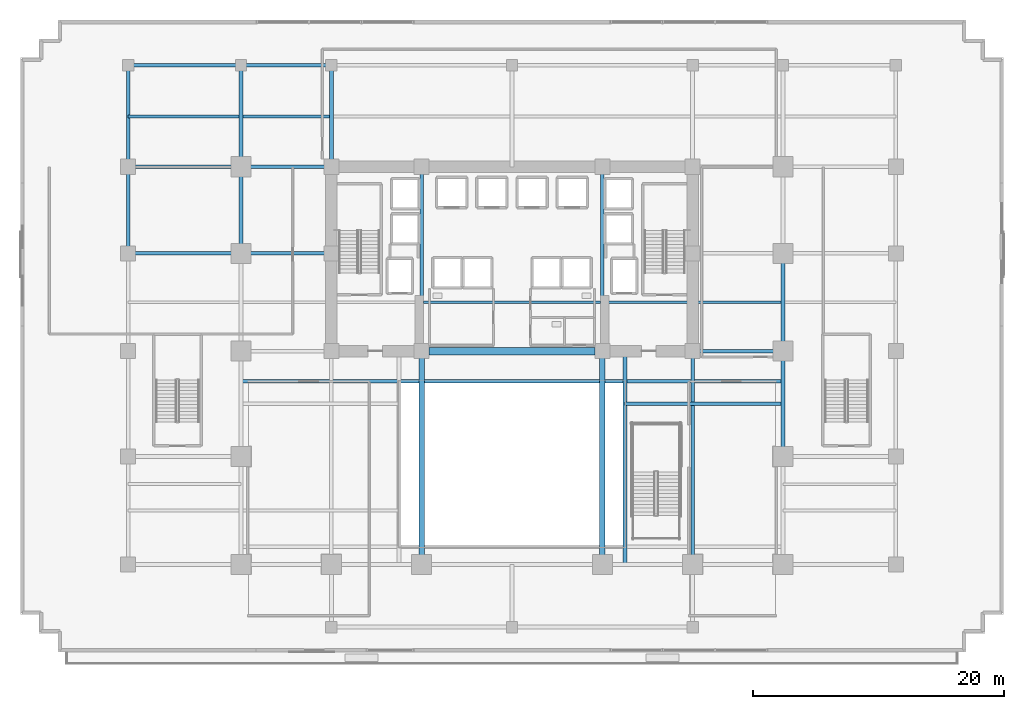
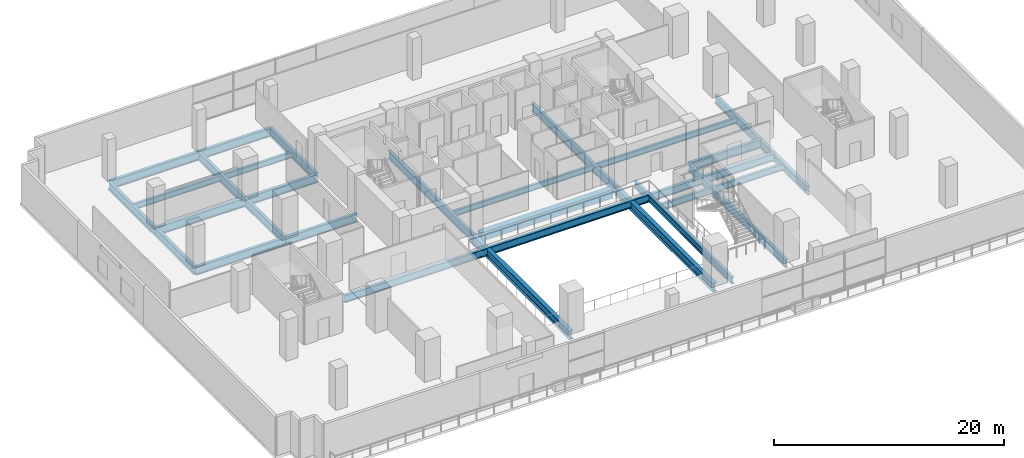
# One storey, part 7 of 21: 27 beams.
"""IFC4 building model written with IfcOpenShell, lengths in metres."""

import ifcopenshell
import ifcopenshell.guid

model = None  # the IFC model being written
_history = None  # IfcOwnerHistory: only IFC2X3 demands one
_inside = {}  # id of a spatial element -> (the spatial element, [elements in it])
_under = {}  # id of a project, library or spatial element -> (it, [spatial elements below it])
_declared = {}  # id of a project -> (the project, [libraries it declares])
_typed = {}  # id of a type object -> (the type object, [elements of that type])
_made_of = {}  # id of a material, layer set ... -> (it, [elements and type objects made of it])


def new_model(schema):
    """Start an empty IFC model of exactly this schema.

    Asked for "IFC4X3", IfcOpenShell would pick the latest addendum, in which some entities
    have other attributes; the version numbers below select the first issue.
    IFC2X3 requires an IfcOwnerHistory on every rooted entity: one is made here for all.
    """
    global model, _history
    if schema == "IFC4X3":
        model = ifcopenshell.file(schema_version=(4, 3, 0, 0))
    else:
        model = ifcopenshell.file(schema=schema)
    _inside.clear()
    _under.clear()
    _declared.clear()
    _typed.clear()
    _made_of.clear()
    _history = None
    if model.schema == "IFC2X3":
        org = make("IfcOrganization", Name="unknown")
        user = make(
            "IfcPersonAndOrganization",
            ThePerson=make("IfcPerson", FamilyName="unknown"),
            TheOrganization=org,
        )
        app = make(
            "IfcApplication",
            ApplicationDeveloper=org,
            Version="unknown",
            ApplicationFullName="unknown",
            ApplicationIdentifier="unknown",
        )
        _history = make(
            "IfcOwnerHistory",
            OwningUser=user,
            OwningApplication=app,
            ChangeAction="ADDED",
            CreationDate=0,
        )
    return model


def make(cls, **values):
    """One entity of the class cls with the attributes given. An attribute that is None is left unset."""
    return model.create_entity(
        cls, **{name: value for name, value in values.items() if value is not None}
    )


def rooted(cls, **values):
    """An entity with a GlobalId (a new one), such as an element, a storey or a relation."""
    return make(cls, GlobalId=ifcopenshell.guid.new(), OwnerHistory=_history, **values)


def si_unit(unit_type, name, prefix=None):
    """IfcSIUnit, for example si_unit("LENGTHUNIT", "METRE", prefix="MILLI")."""
    return make("IfcSIUnit", UnitType=unit_type, Prefix=prefix, Name=name)


def assignment(units):
    """IfcUnitAssignment: the units of a project."""
    return None if units is None else make("IfcUnitAssignment", Units=units)


def point(xyz):
    """IfcCartesianPoint."""
    return None if xyz is None else make("IfcCartesianPoint", Coordinates=xyz)


def direction(xyz):
    """IfcDirection."""
    return None if xyz is None else make("IfcDirection", DirectionRatios=xyz)


def frame(location, z_axis=None, x_axis=None):
    """IfcAxis2Placement3D, a coordinate frame: its origin and axes. An axis left out is left unset."""
    return make(
        "IfcAxis2Placement3D",
        Location=point(location),
        Axis=direction(z_axis),
        RefDirection=direction(x_axis),
    )


def frame_2d(location, x_axis=None):
    """IfcAxis2Placement2D, a coordinate frame in the plane: its origin and x axis."""
    return make(
        "IfcAxis2Placement2D", Location=point(location), RefDirection=direction(x_axis)
    )


def origin():
    """The frame at (0, 0, 0) with its axes left unset."""
    return frame((0.0, 0.0, 0.0))


def origin_2d():
    """The frame at (0, 0) in the plane with its x axis left unset."""
    return frame_2d((0.0, 0.0))


def place(relative_to, where):
    """IfcLocalPlacement: puts the frame where relative to a parent placement (None: the world)."""
    return make(
        "IfcLocalPlacement", PlacementRelTo=relative_to, RelativePlacement=where
    )


def context(
    kind, dimensions, precision=None, world=None, true_north=None, identifier=None
):
    """IfcGeometricRepresentationContext, for example the 3D "Model" context."""
    return make(
        "IfcGeometricRepresentationContext",
        ContextIdentifier=identifier,
        ContextType=kind,
        CoordinateSpaceDimension=dimensions,
        Precision=precision,
        WorldCoordinateSystem=world,
        TrueNorth=true_north,
    )


def subcontext(parent, identifier, kind, view, scale=None):
    """IfcGeometricRepresentationSubContext, for example "Body" below "Model"."""
    return make(
        "IfcGeometricRepresentationSubContext",
        ContextIdentifier=identifier,
        ContextType=kind,
        ParentContext=parent,
        TargetScale=scale,
        TargetView=view,
    )


def project(units=None, contexts=None):
    """IfcProject with its units and contexts."""
    return rooted(
        "IfcProject",
        Name="project",
        RepresentationContexts=contexts,
        UnitsInContext=assignment(units),
    )


def spatial(cls, under=None, at=None, **own):
    """A site, building, storey or space (cls), placed at a placement, below another one or the project."""
    s = rooted(cls, ObjectPlacement=at, **own)
    if under is not None:
        _under.setdefault(under.id(), (under, []))[1].append(s)
    return s


def profile(cls, at=None, kind="AREA", **sizes):
    """A parametric profile (cls). Its sizes go by their IFC names, for example OverallWidth=200.0."""
    return make(cls, ProfileType=kind, Position=at, **sizes)


def rectangle(**sizes):
    """IfcRectangleProfileDef."""
    return profile("IfcRectangleProfileDef", **sizes)


def i_section(**sizes):
    """IfcIShapeProfileDef."""
    return profile("IfcIShapeProfileDef", **sizes)


def extrude(swept, where, along, depth):
    """IfcExtrudedAreaSolid: the profile swept, set in the frame where, extruded along a direction by depth."""
    return make(
        "IfcExtrudedAreaSolid",
        SweptArea=swept,
        Position=where,
        ExtrudedDirection=direction(along),
        Depth=depth,
    )


def shape(context_of_items, identifier, shape_type, items):
    """IfcShapeRepresentation: the items that make up one representation, for example the "Body"."""
    return make(
        "IfcShapeRepresentation",
        ContextOfItems=context_of_items,
        RepresentationIdentifier=identifier,
        RepresentationType=shape_type,
        Items=items,
    )


def material(Name=None, Category=None):
    """IfcMaterial."""
    return make("IfcMaterial", Name=Name, Category=Category)


def material_profile(
    of_material, cross_section, Name=None, Category=None, Priority=None
):
    """IfcMaterialProfile: a cross section and its material."""
    return make(
        "IfcMaterialProfile",
        Name=Name,
        Material=of_material,
        Profile=cross_section,
        Priority=Priority,
        Category=Category,
    )


def profile_set(profiles, Name=None, composite=None):
    """IfcMaterialProfileSet."""
    return make(
        "IfcMaterialProfileSet",
        Name=Name,
        MaterialProfiles=profiles,
        CompositeProfile=composite,
    )


def made_of(thing, what):
    """Note that an element or type object is made of a material, layer set ...; save() writes the relation."""
    if what is not None:
        _made_of.setdefault(what.id(), (what, []))[1].append(thing)
    return thing


def type_object(cls, material=None, **own):
    """A type object (cls), such as IfcWallType, which elements share."""
    return made_of(rooted(cls, **own), material)


def element(
    cls,
    number,
    at=None,
    inside=None,
    cuts=None,
    type_object=None,
    material=None,
    context=None,
    identifier="Body",
    shape_type=None,
    held_by="IfcProductDefinitionShape",
    body=None,
    shapes=None,
    **own,
):
    """One element of the class cls, such as IfcWall. Its Tag is "e" and its number.

    at: its placement. inside: the storey or other place that contains it. cuts: it is an
    opening in that element (IfcRelVoidsElement). A single representation is given by context,
    identifier, shape_type and body (its items); several are given by shapes. held_by: the class
    of the entity that holds the representations. save() writes the other relations.
    """
    e = rooted(cls, Tag="e%d" % number, ObjectPlacement=at, **own)
    if body is not None:
        shapes = [shape(context, identifier, shape_type, body)]
    if shapes is not None:
        e.Representation = make(held_by, Representations=shapes)
    if inside is not None:
        _inside.setdefault(inside.id(), (inside, []))[1].append(e)
    if cuts is not None:
        rooted(
            "IfcRelVoidsElement", RelatingBuildingElement=cuts, RelatedOpeningElement=e
        )
    if type_object is not None:
        _typed.setdefault(type_object.id(), (type_object, []))[1].append(e)
    return made_of(e, material)


def aggregate(whole, parts):
    """IfcRelAggregates: a whole, such as a stair, and the parts it consists of."""
    return rooted("IfcRelAggregates", RelatingObject=whole, RelatedObjects=parts)


def save(model, path):
    """Write the relations noted so far, then the file.

    IfcRelAggregates (storeys below a building ...), IfcRelContainedInSpatialStructure (elements
    in a storey), IfcRelDefinesByType, IfcRelAssociatesMaterial and IfcRelDeclares: one each for
    every whole, place, type object, material and project.
    """
    for whole, parts in _under.values():
        aggregate(whole, parts)
    for where, things in _inside.values():
        rooted(
            "IfcRelContainedInSpatialStructure",
            RelatedElements=things,
            RelatingStructure=where,
        )
    for kind, things in _typed.values():
        rooted("IfcRelDefinesByType", RelatedObjects=things, RelatingType=kind)
    for what, things in _made_of.values():
        rooted("IfcRelAssociatesMaterial", RelatedObjects=things, RelatingMaterial=what)
    for by, libraries in _declared.values():
        rooted("IfcRelDeclares", RelatingContext=by, RelatedDefinitions=libraries)
    model.write(path)


model = new_model("IFC4")

# Units and contexts
model_context = context("Model", 3, precision=1e-05, world=origin(), true_north=direction((0.0, 1.0)))
body_context = subcontext(model_context, "Body", "Model", "MODEL_VIEW")
ifc_project = project(units=[si_unit("LENGTHUNIT", "METRE"), si_unit("AREAUNIT", "SQUARE_METRE"), si_unit("VOLUMEUNIT", "CUBIC_METRE"), si_unit("PLANEANGLEUNIT", "RADIAN"), si_unit("MASSUNIT", "GRAM", prefix="KILO")], contexts=[model_context])

# Site, building, storey
site_placement = place(None, origin())
site = spatial("IfcSite", under=ifc_project, at=site_placement, CompositionType="ELEMENT")
building_placement = place(site_placement, origin())
building = spatial("IfcBuilding", under=site, at=building_placement, Name="Zarnakvel Exchange Tower", CompositionType="ELEMENT")
storey_placement = place(building_placement, frame((0.0, 0.0, 5.0)))
storey = spatial("IfcBuildingStorey", under=building, at=storey_placement, Name="L01", CompositionType="ELEMENT", Elevation=5.0)

# Beams
ifc_material_1 = material(Name="Steel S355", Category="steel")
ifc_material_profile_1 = material_profile(ifc_material_1, i_section(OverallWidth=0.255859375, OverallDepth=0.69287109375, WebThickness=0.014404296875, FlangeThickness=0.023681640625, FilletRadius=0.01513671875, at=origin_2d()))
ifc_profile_set_1 = profile_set([ifc_material_profile_1], Name="Steel S355")
beam_type_1 = type_object("IfcBeamType", Name="B-01", PredefinedType="JOIST", material=ifc_profile_set_1)
beam_1_placement = place(storey_placement, frame((9.0, -5.39990234375, -0.646484375), z_axis=(1.0, 0.0, 0.0), x_axis=(0.0, 1.0, 0.0)))
element("IfcBeam", 1, at=beam_1_placement, inside=storey, type_object=beam_type_1, Name="L01 Exchange Hall Atrium Trimmer East", PredefinedType="JOIST", context=body_context, shape_type="SweptSolid", body=[
    extrude(i_section(OverallWidth=0.255859375, OverallDepth=0.69287109375, WebThickness=0.014404296875, FlangeThickness=0.023681640625, FilletRadius=0.01513671875, at=origin_2d()), origin(), (0.0, 0.0, 1.0), 12.60009765625),
])
ifc_material_profile_2 = material_profile(ifc_material_1, i_section(OverallWidth=0.230224609375, OverallDepth=0.6171875, WebThickness=0.01318359375, FlangeThickness=0.022216796875, FilletRadius=0.0126953125, at=origin_2d()))
ifc_profile_set_2 = profile_set([ifc_material_profile_2], Name="Steel S355")
beam_type_2 = type_object("IfcBeamType", Name="B-02", PredefinedType="JOIST", material=ifc_profile_set_2)
beam_2_placement = place(storey_placement, frame((-7.050048828125, 2.699951171875, -0.608642578125), z_axis=(1.0, 0.0, 0.0), x_axis=(0.0, 1.0, 0.0)))
element("IfcBeam", 2, at=beam_2_placement, inside=storey, type_object=beam_type_2, Name="L01 Secondary Floor Joist", PredefinedType="JOIST", context=body_context, shape_type="SweptSolid", body=[
    extrude(i_section(OverallWidth=0.230224609375, OverallDepth=0.6171875, WebThickness=0.01318359375, FlangeThickness=0.022216796875, FilletRadius=0.0126953125, at=origin_2d()), origin(), (0.0, 0.0, 1.0), 14.10009765625),
])
beam_3_placement = place(storey_placement, frame((7.35009765625, 2.699951171875, -0.608642578125), z_axis=(1.0, 0.0, 0.0), x_axis=(0.0, 1.0, 0.0)))
element("IfcBeam", 3, at=beam_3_placement, inside=storey, type_object=beam_type_2, Name="L01 Secondary Floor Joist", PredefinedType="JOIST", context=body_context, shape_type="SweptSolid", body=[
    extrude(i_section(OverallWidth=0.230224609375, OverallDepth=0.6171875, WebThickness=0.01318359375, FlangeThickness=0.022216796875, FilletRadius=0.0126953125, at=origin_2d()), origin(), (0.0, 0.0, 1.0), 14.099853515625),
])
beam_4_placement = place(storey_placement, frame((-30.60009765625, 17.5, -0.608642578125), z_axis=(1.0, 0.0, 0.0), x_axis=(0.0, 1.0, 0.0)))
element("IfcBeam", 4, at=beam_4_placement, inside=storey, type_object=beam_type_2, Name="L01 North Bay Secondary Floor Joist", PredefinedType="JOIST", context=body_context, shape_type="SweptSolid", body=[
    extrude(i_section(OverallWidth=0.230224609375, OverallDepth=0.6171875, WebThickness=0.01318359375, FlangeThickness=0.022216796875, FilletRadius=0.0126953125, at=origin_2d()), origin(), (0.0, 0.0, 1.0), 8.85009765625),
])
beam_5_placement = place(storey_placement, frame((-21.449951171875, 17.5, -0.608642578125), z_axis=(1.0, 0.0, 0.0), x_axis=(0.0, 1.0, 0.0)))
element("IfcBeam", 5, at=beam_5_placement, inside=storey, type_object=beam_type_2, Name="L01 North Bay Secondary Floor Joist", PredefinedType="JOIST", context=body_context, shape_type="SweptSolid", body=[
    extrude(i_section(OverallWidth=0.230224609375, OverallDepth=0.6171875, WebThickness=0.01318359375, FlangeThickness=0.022216796875, FilletRadius=0.0126953125, at=origin_2d()), origin(), (0.0, 0.0, 1.0), 6.89990234375),
])
ifc_material_2 = material(Name="Concrete C80/95", Category="concrete")
ifc_material_profile_3 = material_profile(ifc_material_2, rectangle(XDim=0.60009765625, YDim=0.89990234375, at=origin_2d()))
ifc_profile_set_3 = profile_set([ifc_material_profile_3], Name="Concrete C80/95")
beam_type_3 = type_object("IfcBeamType", Name="CB-01", PredefinedType="LINTEL", material=ifc_profile_set_3)
beam_6_placement = place(storey_placement, frame((-6.60009765625, -1.199951171875, -0.75), z_axis=(1.0, 0.0, 0.0), x_axis=(0.0, 1.0, 0.0)))
element("IfcBeam", 6, at=beam_6_placement, inside=storey, type_object=beam_type_3, Name="L01 Rear Core South Coupling Beam (CB-01)", PredefinedType="LINTEL", context=body_context, shape_type="SweptSolid", body=[
    extrude(rectangle(XDim=0.60009765625, YDim=0.89990234375, at=origin_2d()), origin(), (0.0, 0.0, 1.0), 13.2001953125),
])
ifc_material_profile_4 = material_profile(ifc_material_1, i_section(OverallWidth=0.300048828125, OverallDepth=0.89990234375, WebThickness=0.0185546875, FlangeThickness=0.034912109375, FilletRadius=0.030029296875, at=origin_2d()))
ifc_profile_set_4 = profile_set([ifc_material_profile_4], Name="Steel S355")
beam_type_4 = type_object("IfcBeamType", Name="G-01", PredefinedType="BEAM", material=ifc_profile_set_4)
beam_7_placement = place(storey_placement, frame((14.39990234375, -1.199951171875, -0.75), z_axis=(1.0, 0.0, 0.0), x_axis=(0.0, 1.0, 0.0)))
element("IfcBeam", 7, at=beam_7_placement, inside=storey, type_object=beam_type_4, Name="L01 Primary E-W Girder Y=-1.2", PredefinedType="BEAM", context=body_context, shape_type="SweptSolid", body=[
    extrude(i_section(OverallWidth=0.300048828125, OverallDepth=0.89990234375, WebThickness=0.0185546875, FlangeThickness=0.034912109375, FilletRadius=0.030029296875, at=origin_2d()), origin(), (0.0, 0.0, 1.0), 7.2001953125),
])
beam_8_placement = place(storey_placement, frame((-30.60009765625, 6.60009765625, -0.75), z_axis=(1.0, 0.0, 0.0), x_axis=(0.0, 1.0, 0.0)))
element("IfcBeam", 8, at=beam_8_placement, inside=storey, type_object=beam_type_4, Name="L01 Primary E-W Girder Y=+6.6", PredefinedType="BEAM", context=body_context, shape_type="SweptSolid", body=[
    extrude(i_section(OverallWidth=0.300048828125, OverallDepth=0.89990234375, WebThickness=0.0185546875, FlangeThickness=0.034912109375, FilletRadius=0.030029296875, at=origin_2d()), origin(), (0.0, 0.0, 1.0), 9.0),
])
beam_9_placement = place(storey_placement, frame((-21.60009765625, 6.60009765625, -0.75), z_axis=(1.0, 0.0, 0.0), x_axis=(0.0, 1.0, 0.0)))
element("IfcBeam", 9, at=beam_9_placement, inside=storey, type_object=beam_type_4, Name="L01 Primary E-W Girder Y=+6.6", PredefinedType="BEAM", context=body_context, shape_type="SweptSolid", body=[
    extrude(i_section(OverallWidth=0.300048828125, OverallDepth=0.89990234375, WebThickness=0.0185546875, FlangeThickness=0.034912109375, FilletRadius=0.030029296875, at=origin_2d()), origin(), (0.0, 0.0, 1.0), 7.2001953125),
])
beam_10_placement = place(storey_placement, frame((-30.60009765625, 13.5, -0.75), z_axis=(1.0, 0.0, 0.0), x_axis=(0.0, 1.0, 0.0)))
element("IfcBeam", 10, at=beam_10_placement, inside=storey, type_object=beam_type_4, Name="L01 Primary E-W Girder Y=+13.5", PredefinedType="BEAM", context=body_context, shape_type="SweptSolid", body=[
    extrude(i_section(OverallWidth=0.300048828125, OverallDepth=0.89990234375, WebThickness=0.0185546875, FlangeThickness=0.034912109375, FilletRadius=0.030029296875, at=origin_2d()), origin(), (0.0, 0.0, 1.0), 9.0),
])
beam_11_placement = place(storey_placement, frame((-21.60009765625, 13.5, -0.75), z_axis=(1.0, 0.0, 0.0), x_axis=(0.0, 1.0, 0.0)))
element("IfcBeam", 11, at=beam_11_placement, inside=storey, type_object=beam_type_4, Name="L01 Primary E-W Girder Y=+13.5", PredefinedType="BEAM", context=body_context, shape_type="SweptSolid", body=[
    extrude(i_section(OverallWidth=0.300048828125, OverallDepth=0.89990234375, WebThickness=0.0185546875, FlangeThickness=0.034912109375, FilletRadius=0.030029296875, at=origin_2d()), origin(), (0.0, 0.0, 1.0), 7.2001953125),
])
beam_12_placement = place(storey_placement, frame((-30.60009765625, 21.60009765625, -0.75), z_axis=(1.0, 0.0, 0.0), x_axis=(0.0, 1.0, 0.0)))
element("IfcBeam", 12, at=beam_12_placement, inside=storey, type_object=beam_type_4, Name="L01 Primary E-W Girder Y=+21.6", PredefinedType="BEAM", context=body_context, shape_type="SweptSolid", body=[
    extrude(i_section(OverallWidth=0.300048828125, OverallDepth=0.89990234375, WebThickness=0.0185546875, FlangeThickness=0.034912109375, FilletRadius=0.030029296875, at=origin_2d()), origin(), (0.0, 0.0, 1.0), 9.0),
])
beam_13_placement = place(storey_placement, frame((-21.60009765625, 21.60009765625, -0.75), z_axis=(1.0, 0.0, 0.0), x_axis=(0.0, 1.0, 0.0)))
element("IfcBeam", 13, at=beam_13_placement, inside=storey, type_object=beam_type_4, Name="L01 Primary E-W Girder Y=+21.6", PredefinedType="BEAM", context=body_context, shape_type="SweptSolid", body=[
    extrude(i_section(OverallWidth=0.300048828125, OverallDepth=0.89990234375, WebThickness=0.0185546875, FlangeThickness=0.034912109375, FilletRadius=0.030029296875, at=origin_2d()), origin(), (0.0, 0.0, 1.0), 7.2001953125),
])
beam_14_placement = place(storey_placement, frame((-30.60009765625, 6.60009765625, -0.75), z_axis=(0.0, 1.0, 0.0), x_axis=(-1.0, 0.0, 0.0)))
element("IfcBeam", 14, at=beam_14_placement, inside=storey, type_object=beam_type_4, Name="L01 Primary N-S Girder X=-30.6", PredefinedType="BEAM", context=body_context, shape_type="SweptSolid", body=[
    extrude(i_section(OverallWidth=0.300048828125, OverallDepth=0.89990234375, WebThickness=0.0185546875, FlangeThickness=0.034912109375, FilletRadius=0.030029296875, at=origin_2d()), origin(), (0.0, 0.0, 1.0), 6.89990234375),
])
beam_15_placement = place(storey_placement, frame((-30.60009765625, 13.5, -0.75), z_axis=(0.0, 1.0, 0.0), x_axis=(-1.0, 0.0, 0.0)))
element("IfcBeam", 15, at=beam_15_placement, inside=storey, type_object=beam_type_4, Name="L01 Primary N-S Girder X=-30.6", PredefinedType="BEAM", context=body_context, shape_type="SweptSolid", body=[
    extrude(i_section(OverallWidth=0.300048828125, OverallDepth=0.89990234375, WebThickness=0.0185546875, FlangeThickness=0.034912109375, FilletRadius=0.030029296875, at=origin_2d()), origin(), (0.0, 0.0, 1.0), 8.10009765625),
])
beam_16_placement = place(storey_placement, frame((-21.60009765625, 6.60009765625, -0.75), z_axis=(0.0, 1.0, 0.0), x_axis=(-1.0, 0.0, 0.0)))
element("IfcBeam", 16, at=beam_16_placement, inside=storey, type_object=beam_type_4, Name="L01 Primary N-S Girder X=-21.6", PredefinedType="BEAM", context=body_context, shape_type="SweptSolid", body=[
    extrude(i_section(OverallWidth=0.300048828125, OverallDepth=0.89990234375, WebThickness=0.0185546875, FlangeThickness=0.034912109375, FilletRadius=0.030029296875, at=origin_2d()), origin(), (0.0, 0.0, 1.0), 6.89990234375),
])
for number, where, z_axis, x_axis, name in (
    (17, (-21.60009765625, 13.5, -0.75), (0.0, 1.0, 0.0), (-1.0, 0.0, 0.0), "L01 Primary N-S Girder X=-21.6"),
    (18, (-14.39990234375, 13.5, -0.75), (0.0, 1.0, 0.0), (-1.0, 0.0, 0.0), "L01 Primary N-S Girder X=-14.4"),
):
    element("IfcBeam", number, at=place(storey_placement, frame(where, z_axis=z_axis, x_axis=x_axis)), inside=storey, type_object=beam_type_4, Name=name, PredefinedType="BEAM", context=body_context, shape_type="SweptSolid", body=[
        extrude(i_section(OverallWidth=0.300048828125, OverallDepth=0.89990234375, WebThickness=0.0185546875, FlangeThickness=0.034912109375, FilletRadius=0.030029296875, at=origin_2d()), origin(), (0.0, 0.0, 1.0), 8.10009765625),
    ])
for number, where, z_axis, x_axis, name in (
    (19, (-7.199951171875, -1.199951171875, -0.75), (0.0, 1.0, 0.0), (-1.0, 0.0, 0.0), "L01 Primary N-S Girder X=-7.2"),
    (20, (7.199951171875, -1.199951171875, -0.75), (0.0, 1.0, 0.0), (-1.0, 0.0, 0.0), "L01 Primary N-S Girder X=+7.2"),
):
    element("IfcBeam", number, at=place(storey_placement, frame(where, z_axis=z_axis, x_axis=x_axis)), inside=storey, type_object=beam_type_4, Name=name, PredefinedType="BEAM", context=body_context, shape_type="SweptSolid", body=[
        extrude(i_section(OverallWidth=0.300048828125, OverallDepth=0.89990234375, WebThickness=0.0185546875, FlangeThickness=0.034912109375, FilletRadius=0.030029296875, at=origin_2d()), origin(), (0.0, 0.0, 1.0), 14.699951171875),
    ])
beam_17_placement = place(storey_placement, frame((21.60009765625, -9.60009765625, -0.75), z_axis=(0.0, 1.0, 0.0), x_axis=(-1.0, 0.0, 0.0)))
element("IfcBeam", 21, at=beam_17_placement, inside=storey, type_object=beam_type_4, Name="L01 Primary N-S Girder X=+21.6", PredefinedType="BEAM", context=body_context, shape_type="SweptSolid", body=[
    extrude(i_section(OverallWidth=0.300048828125, OverallDepth=0.89990234375, WebThickness=0.0185546875, FlangeThickness=0.034912109375, FilletRadius=0.030029296875, at=origin_2d()), origin(), (0.0, 0.0, 1.0), 8.400146484375),
])
beam_18_placement = place(storey_placement, frame((21.60009765625, -1.199951171875, -0.75), z_axis=(0.0, 1.0, 0.0), x_axis=(-1.0, 0.0, 0.0)))
element("IfcBeam", 22, at=beam_18_placement, inside=storey, type_object=beam_type_4, Name="L01 Primary N-S Girder X=+21.6", PredefinedType="BEAM", context=body_context, shape_type="SweptSolid", body=[
    extrude(i_section(OverallWidth=0.300048828125, OverallDepth=0.89990234375, WebThickness=0.0185546875, FlangeThickness=0.034912109375, FilletRadius=0.030029296875, at=origin_2d()), origin(), (0.0, 0.0, 1.0), 7.800048828125),
])
ifc_material_profile_5 = material_profile(ifc_material_1, i_section(OverallWidth=0.300048828125, OverallDepth=0.800048828125, WebThickness=0.017578125, FlangeThickness=0.032958984375, FilletRadius=0.030029296875, at=origin_2d()))
ifc_profile_set_5 = profile_set([ifc_material_profile_5], Name="Steel S355")
beam_type_5 = type_object("IfcBeamType", Name="G-02", PredefinedType="BEAM", material=ifc_profile_set_5)
beam_19_placement = place(storey_placement, frame((-21.60009765625, -3.60009765625, -0.699951171875), z_axis=(1.0, 0.0, 0.0), x_axis=(0.0, 1.0, 0.0)))
element("IfcBeam", 23, at=beam_19_placement, inside=storey, type_object=beam_type_5, Name="L01 Atrium North Edge Trimmer Girder", PredefinedType="BEAM", context=body_context, shape_type="SweptSolid", body=[
    extrude(i_section(OverallWidth=0.300048828125, OverallDepth=0.800048828125, WebThickness=0.017578125, FlangeThickness=0.032958984375, FilletRadius=0.030029296875, at=origin_2d()), origin(), (0.0, 0.0, 1.0), 43.2001953125),
])
ifc_material_profile_6 = material_profile(ifc_material_1, i_section(OverallWidth=0.300048828125, OverallDepth=0.699951171875, WebThickness=0.01708984375, FlangeThickness=0.031982421875, FilletRadius=0.027099609375, at=origin_2d()))
ifc_profile_set_6 = profile_set([ifc_material_profile_6], Name="Steel S355")
beam_type_6 = type_object("IfcBeamType", Name="G-03", PredefinedType="BEAM", material=ifc_profile_set_6)
beam_20_placement = place(storey_placement, frame((9.0, -18.199951171875, -0.64990234375), z_axis=(0.0, 1.0, 0.0), x_axis=(-1.0, 0.0, 0.0)))
element("IfcBeam", 24, at=beam_20_placement, inside=storey, type_object=beam_type_6, Name="L01 Atrium East Edge Girder", PredefinedType="BEAM", context=body_context, shape_type="SweptSolid", body=[
    extrude(i_section(OverallWidth=0.300048828125, OverallDepth=0.699951171875, WebThickness=0.01708984375, FlangeThickness=0.031982421875, FilletRadius=0.027099609375, at=origin_2d()), origin(), (0.0, 0.0, 1.0), 17.0),
])
ifc_material_profile_7 = material_profile(ifc_material_1, i_section(OverallWidth=0.42041015625, OverallDepth=0.9208984375, WebThickness=0.021484375, FlangeThickness=0.03662109375, FilletRadius=0.024169921875, at=origin_2d()))
ifc_profile_set_7 = profile_set([ifc_material_profile_7], Name="Steel S355")
beam_type_7 = type_object("IfcBeamType", Name="TB-01", PredefinedType="T_BEAM", material=ifc_profile_set_7)
for number, where, z_axis, x_axis, name in (
    (25, (-7.199951171875, -18.199951171875, -0.760498046875), (0.0, 1.0, 0.0), (-1.0, 0.0, 0.0), "L01 Primary N-S Girder X=-7.2"),
    (26, (7.199951171875, -18.199951171875, -0.760498046875), (0.0, 1.0, 0.0), (-1.0, 0.0, 0.0), "L01 Primary N-S Girder X=+7.2"),
):
    element("IfcBeam", number, at=place(storey_placement, frame(where, z_axis=z_axis, x_axis=x_axis)), inside=storey, type_object=beam_type_7, Name=name, PredefinedType="T_BEAM", context=body_context, shape_type="SweptSolid", body=[
        extrude(i_section(OverallWidth=0.42041015625, OverallDepth=0.9208984375, WebThickness=0.021484375, FlangeThickness=0.03662109375, FilletRadius=0.024169921875, at=origin_2d()), origin(), (0.0, 0.0, 1.0), 17.0),
    ])
ifc_material_profile_8 = material_profile(ifc_material_1, i_section(OverallWidth=0.293701171875, OverallDepth=0.850830078125, WebThickness=0.01611328125, FlangeThickness=0.02685546875, FilletRadius=0.017822265625, at=origin_2d()))
ifc_profile_set_8 = profile_set([ifc_material_profile_8], Name="Steel S355")
beam_type_8 = type_object("IfcBeamType", Name="TB-02", PredefinedType="T_BEAM", material=ifc_profile_set_8)
beam_21_placement = place(storey_placement, frame((14.39990234375, -18.199951171875, -0.725341796875), z_axis=(0.0, 1.0, 0.0), x_axis=(-1.0, 0.0, 0.0)))
element("IfcBeam", 27, at=beam_21_placement, inside=storey, type_object=beam_type_8, Name="L01 Primary N-S Girder X=+14.4", PredefinedType="T_BEAM", context=body_context, shape_type="SweptSolid", body=[
    extrude(i_section(OverallWidth=0.293701171875, OverallDepth=0.850830078125, WebThickness=0.01611328125, FlangeThickness=0.02685546875, FilletRadius=0.017822265625, at=origin_2d()), origin(), (0.0, 0.0, 1.0), 17.0),
])

save(model, "model.ifc")
